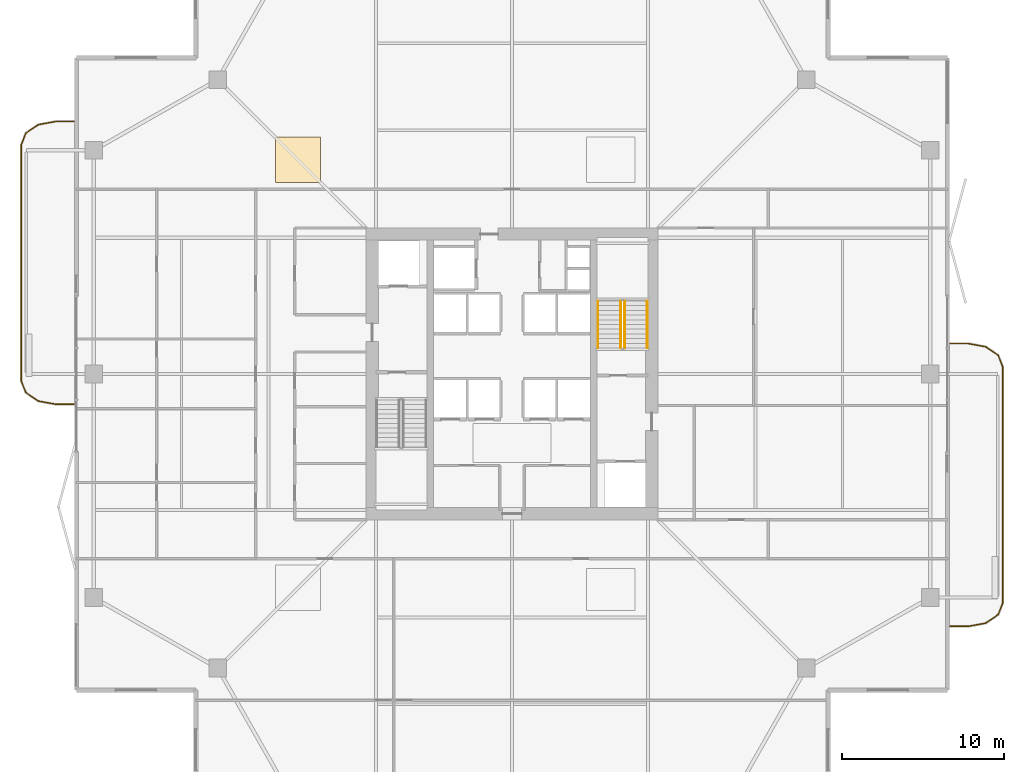
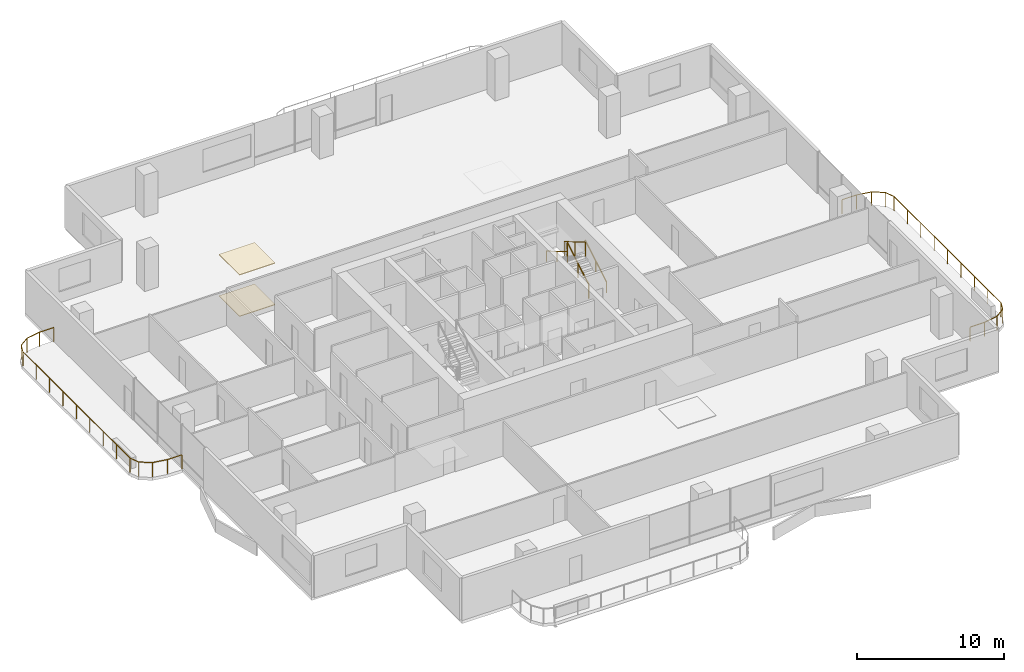
# One storey, part 22 of 23: 6 railings, 2 coverings.
"""IFC4 building model written with IfcOpenShell, lengths in metres."""

import ifcopenshell
import ifcopenshell.guid

model = None  # the IFC model being written
_history = None  # IfcOwnerHistory: only IFC2X3 demands one
_inside = {}  # id of a spatial element -> (the spatial element, [elements in it])
_under = {}  # id of a project, library or spatial element -> (it, [spatial elements below it])
_declared = {}  # id of a project -> (the project, [libraries it declares])
_typed = {}  # id of a type object -> (the type object, [elements of that type])
_made_of = {}  # id of a material, layer set ... -> (it, [elements and type objects made of it])


def new_model(schema):
    """Start an empty IFC model of exactly this schema.

    Asked for "IFC4X3", IfcOpenShell would pick the latest addendum, in which some entities
    have other attributes; the version numbers below select the first issue.
    IFC2X3 requires an IfcOwnerHistory on every rooted entity: one is made here for all.
    """
    global model, _history
    if schema == "IFC4X3":
        model = ifcopenshell.file(schema_version=(4, 3, 0, 0))
    else:
        model = ifcopenshell.file(schema=schema)
    _inside.clear()
    _under.clear()
    _declared.clear()
    _typed.clear()
    _made_of.clear()
    _history = None
    if model.schema == "IFC2X3":
        org = make("IfcOrganization", Name="unknown")
        user = make(
            "IfcPersonAndOrganization",
            ThePerson=make("IfcPerson", FamilyName="unknown"),
            TheOrganization=org,
        )
        app = make(
            "IfcApplication",
            ApplicationDeveloper=org,
            Version="unknown",
            ApplicationFullName="unknown",
            ApplicationIdentifier="unknown",
        )
        _history = make(
            "IfcOwnerHistory",
            OwningUser=user,
            OwningApplication=app,
            ChangeAction="ADDED",
            CreationDate=0,
        )
    return model


def make(cls, **values):
    """One entity of the class cls with the attributes given. An attribute that is None is left unset."""
    return model.create_entity(
        cls, **{name: value for name, value in values.items() if value is not None}
    )


def rooted(cls, **values):
    """An entity with a GlobalId (a new one), such as an element, a storey or a relation."""
    return make(cls, GlobalId=ifcopenshell.guid.new(), OwnerHistory=_history, **values)


def si_unit(unit_type, name, prefix=None):
    """IfcSIUnit, for example si_unit("LENGTHUNIT", "METRE", prefix="MILLI")."""
    return make("IfcSIUnit", UnitType=unit_type, Prefix=prefix, Name=name)


def assignment(units):
    """IfcUnitAssignment: the units of a project."""
    return None if units is None else make("IfcUnitAssignment", Units=units)


def point(xyz):
    """IfcCartesianPoint."""
    return None if xyz is None else make("IfcCartesianPoint", Coordinates=xyz)


def direction(xyz):
    """IfcDirection."""
    return None if xyz is None else make("IfcDirection", DirectionRatios=xyz)


def frame(location, z_axis=None, x_axis=None):
    """IfcAxis2Placement3D, a coordinate frame: its origin and axes. An axis left out is left unset."""
    return make(
        "IfcAxis2Placement3D",
        Location=point(location),
        Axis=direction(z_axis),
        RefDirection=direction(x_axis),
    )


def frame_2d(location, x_axis=None):
    """IfcAxis2Placement2D, a coordinate frame in the plane: its origin and x axis."""
    return make(
        "IfcAxis2Placement2D", Location=point(location), RefDirection=direction(x_axis)
    )


def origin():
    """The frame at (0, 0, 0) with its axes left unset."""
    return frame((0.0, 0.0, 0.0))


def origin_2d():
    """The frame at (0, 0) in the plane with its x axis left unset."""
    return frame_2d((0.0, 0.0))


def place(relative_to, where):
    """IfcLocalPlacement: puts the frame where relative to a parent placement (None: the world)."""
    return make(
        "IfcLocalPlacement", PlacementRelTo=relative_to, RelativePlacement=where
    )


def context(
    kind, dimensions, precision=None, world=None, true_north=None, identifier=None
):
    """IfcGeometricRepresentationContext, for example the 3D "Model" context."""
    return make(
        "IfcGeometricRepresentationContext",
        ContextIdentifier=identifier,
        ContextType=kind,
        CoordinateSpaceDimension=dimensions,
        Precision=precision,
        WorldCoordinateSystem=world,
        TrueNorth=true_north,
    )


def subcontext(parent, identifier, kind, view, scale=None):
    """IfcGeometricRepresentationSubContext, for example "Body" below "Model"."""
    return make(
        "IfcGeometricRepresentationSubContext",
        ContextIdentifier=identifier,
        ContextType=kind,
        ParentContext=parent,
        TargetScale=scale,
        TargetView=view,
    )


def project(units=None, contexts=None):
    """IfcProject with its units and contexts."""
    return rooted(
        "IfcProject",
        Name="project",
        RepresentationContexts=contexts,
        UnitsInContext=assignment(units),
    )


def spatial(cls, under=None, at=None, **own):
    """A site, building, storey or space (cls), placed at a placement, below another one or the project."""
    s = rooted(cls, ObjectPlacement=at, **own)
    if under is not None:
        _under.setdefault(under.id(), (under, []))[1].append(s)
    return s


def polyline(points):
    """IfcPolyline through the points."""
    return make("IfcPolyline", Points=[point(p) for p in points])


def profile(cls, at=None, kind="AREA", **sizes):
    """A parametric profile (cls). Its sizes go by their IFC names, for example OverallWidth=200.0."""
    return make(cls, ProfileType=kind, Position=at, **sizes)


def rectangle(**sizes):
    """IfcRectangleProfileDef."""
    return profile("IfcRectangleProfileDef", **sizes)


def outline(outer, holes=None, kind="AREA"):
    """IfcArbitraryClosedProfileDef: a profile drawn as a closed curve; with holes, ...WithVoids."""
    if holes is None:
        return make("IfcArbitraryClosedProfileDef", ProfileType=kind, OuterCurve=outer)
    return make(
        "IfcArbitraryProfileDefWithVoids",
        ProfileType=kind,
        OuterCurve=outer,
        InnerCurves=holes,
    )


def extrude(swept, where, along, depth):
    """IfcExtrudedAreaSolid: the profile swept, set in the frame where, extruded along a direction by depth."""
    return make(
        "IfcExtrudedAreaSolid",
        SweptArea=swept,
        Position=where,
        ExtrudedDirection=direction(along),
        Depth=depth,
    )


def shape(context_of_items, identifier, shape_type, items):
    """IfcShapeRepresentation: the items that make up one representation, for example the "Body"."""
    return make(
        "IfcShapeRepresentation",
        ContextOfItems=context_of_items,
        RepresentationIdentifier=identifier,
        RepresentationType=shape_type,
        Items=items,
    )


def material(Name=None, Category=None):
    """IfcMaterial."""
    return make("IfcMaterial", Name=Name, Category=Category)


def layer(
    of_material, thickness, ventilated=None, Name=None, Category=None, Priority=None
):
    """IfcMaterialLayer: one layer of a wall or slab, of a material (None: an air gap)."""
    return make(
        "IfcMaterialLayer",
        Material=of_material,
        LayerThickness=thickness,
        IsVentilated=ventilated,
        Name=Name,
        Category=Category,
        Priority=Priority,
    )


def layer_set(layers, Name=None):
    """IfcMaterialLayerSet."""
    return make("IfcMaterialLayerSet", MaterialLayers=layers, LayerSetName=Name)


def made_of(thing, what):
    """Note that an element or type object is made of a material, layer set ...; save() writes the relation."""
    if what is not None:
        _made_of.setdefault(what.id(), (what, []))[1].append(thing)
    return thing


def type_object(cls, material=None, **own):
    """A type object (cls), such as IfcWallType, which elements share."""
    return made_of(rooted(cls, **own), material)


def element(
    cls,
    number,
    at=None,
    inside=None,
    cuts=None,
    type_object=None,
    material=None,
    context=None,
    identifier="Body",
    shape_type=None,
    held_by="IfcProductDefinitionShape",
    body=None,
    shapes=None,
    **own,
):
    """One element of the class cls, such as IfcWall. Its Tag is "e" and its number.

    at: its placement. inside: the storey or other place that contains it. cuts: it is an
    opening in that element (IfcRelVoidsElement). A single representation is given by context,
    identifier, shape_type and body (its items); several are given by shapes. held_by: the class
    of the entity that holds the representations. save() writes the other relations.
    """
    e = rooted(cls, Tag="e%d" % number, ObjectPlacement=at, **own)
    if body is not None:
        shapes = [shape(context, identifier, shape_type, body)]
    if shapes is not None:
        e.Representation = make(held_by, Representations=shapes)
    if inside is not None:
        _inside.setdefault(inside.id(), (inside, []))[1].append(e)
    if cuts is not None:
        rooted(
            "IfcRelVoidsElement", RelatingBuildingElement=cuts, RelatedOpeningElement=e
        )
    if type_object is not None:
        _typed.setdefault(type_object.id(), (type_object, []))[1].append(e)
    return made_of(e, material)


def aggregate(whole, parts):
    """IfcRelAggregates: a whole, such as a stair, and the parts it consists of."""
    return rooted("IfcRelAggregates", RelatingObject=whole, RelatedObjects=parts)


def save(model, path):
    """Write the relations noted so far, then the file.

    IfcRelAggregates (storeys below a building ...), IfcRelContainedInSpatialStructure (elements
    in a storey), IfcRelDefinesByType, IfcRelAssociatesMaterial and IfcRelDeclares: one each for
    every whole, place, type object, material and project.
    """
    for whole, parts in _under.values():
        aggregate(whole, parts)
    for where, things in _inside.values():
        rooted(
            "IfcRelContainedInSpatialStructure",
            RelatedElements=things,
            RelatingStructure=where,
        )
    for kind, things in _typed.values():
        rooted("IfcRelDefinesByType", RelatedObjects=things, RelatingType=kind)
    for what, things in _made_of.values():
        rooted("IfcRelAssociatesMaterial", RelatedObjects=things, RelatingMaterial=what)
    for by, libraries in _declared.values():
        rooted("IfcRelDeclares", RelatingContext=by, RelatedDefinitions=libraries)
    model.write(path)


model = new_model("IFC4")

# Units and contexts
model_context = context("Model", 3, precision=1e-05, world=origin(), true_north=direction((0.0, 1.0)))
body_context = subcontext(model_context, "Body", "Model", "MODEL_VIEW")
ifc_project = project(units=[si_unit("LENGTHUNIT", "METRE"), si_unit("AREAUNIT", "SQUARE_METRE"), si_unit("VOLUMEUNIT", "CUBIC_METRE"), si_unit("PLANEANGLEUNIT", "RADIAN"), si_unit("MASSUNIT", "GRAM", prefix="KILO")], contexts=[model_context])

# Site, building, storey
site_placement = place(None, origin())
site = spatial("IfcSite", under=ifc_project, at=site_placement, CompositionType="ELEMENT")
building_placement = place(site_placement, origin())
building = spatial("IfcBuilding", under=site, at=building_placement, Name="Belovzor Exchange Tower", CompositionType="ELEMENT")
storey_placement = place(building_placement, frame((0.0, 0.0, 229.949951171875)))
storey = spatial("IfcBuildingStorey", under=building, at=storey_placement, Name="L57", CompositionType="ELEMENT", Elevation=229.949951171875)

# Railings
ifc_material_1 = material(Name="Stainless Steel Grade 304", Category="steel")
railing_type_1 = type_object("IfcRailingType", Name="Brushed Stainless Steel Stair Handrail 900", PredefinedType="HANDRAIL", material=ifc_material_1)
railing_1_placement = place(storey_placement, frame((37.14990234375, 30.39990234375, 0.17041015625)))
element("IfcRailing", 1, at=railing_1_placement, inside=storey, type_object=railing_type_1, Name="L57 ST-2 stair handrail 1", PredefinedType="HANDRAIL", context=body_context, shape_type="SweptSolid", body=[
    extrude(rectangle(XDim=0.048095703125, YDim=0.048095703125, at=origin_2d()), frame((0.0, 0.0, 0.8759765625), z_axis=(0.0, 0.862113265706, 0.506715617574), x_axis=(-1.0, 0.0, 0.0)), (0.0, 0.0, 1.0), 3.364013671875),
    extrude(rectangle(XDim=0.0419921875, YDim=0.0419921875, at=origin_2d()), origin(), (0.0, 0.0, 1.0), 0.851806640625),
    extrude(rectangle(XDim=0.0419921875, YDim=0.0419921875, at=origin_2d()), frame((0.0, 1.4501953125, 0.852294921875)), (0.0, 0.0, 1.0), 0.851806640625),
    extrude(rectangle(XDim=0.0419921875, YDim=0.0419921875, at=origin_2d()), frame((0.0, 2.900146484375, 1.70458984375)), (0.0, 0.0, 1.0), 0.851806640625),
])
railing_2_placement = place(storey_placement, frame((34.10009765625, 33.300048828125, 2.04541015625)))
element("IfcRailing", 2, at=railing_2_placement, inside=storey, type_object=railing_type_1, Name="L57 ST-2 stair handrail 2", PredefinedType="HANDRAIL", context=body_context, shape_type="SweptSolid", body=[
    extrude(rectangle(XDim=0.048095703125, YDim=0.048095703125, at=origin_2d()), frame((0.0, 0.0, 0.8759765625), z_axis=(0.0, -0.862113265706, 0.506715617574), x_axis=(1.0, 0.0, 0.0)), (0.0, 0.0, 1.0), 3.364013671875),
    extrude(rectangle(XDim=0.0419921875, YDim=0.0419921875, at=origin_2d()), origin(), (0.0, 0.0, 1.0), 0.851806640625),
    extrude(rectangle(XDim=0.0419921875, YDim=0.0419921875, at=origin_2d()), frame((0.0, -1.4501953125, 0.852294921875)), (0.0, 0.0, 1.0), 0.851806640625),
    extrude(rectangle(XDim=0.0419921875, YDim=0.0419921875, at=origin_2d()), frame((0.0, -2.900146484375, 1.70458984375)), (0.0, 0.0, 1.0), 0.851806640625),
])
ifc_material_2 = material(Name="Stainless Steel and Laminated Safety Glass", Category="steel")
railing_type_2 = type_object("IfcRailingType", Name="Laminated Glass & Stainless Steel Balcony Balustrade 1200", PredefinedType="BALUSTRADE", material=ifc_material_2)
railing_3_placement = place(storey_placement, frame((55.81005859375, 13.22998046875, 0.0)))
element("IfcRailing", 3, at=railing_3_placement, inside=storey, type_object=railing_type_2, Name="GR-1 Balcony Balustrade L57 East", PredefinedType="BALUSTRADE", context=body_context, shape_type="SweptSolid", body=[
    extrude(rectangle(XDim=0.048095703125, YDim=0.048095703125, at=origin_2d()), frame((0.0, 0.0, 1.17578125), z_axis=(1.0, 0.0, 0.0), x_axis=(0.0, 1.0, 0.0)), (0.0, 0.0, 1.0), 1.133056640625),
    extrude(rectangle(XDim=0.048095703125, YDim=0.048095703125, at=origin_2d()), frame((1.133056640625, 0.0, 1.17578125), z_axis=(0.983644145941, 0.180122719713, 0.0), x_axis=(-0.180122719713, 0.983644145941, 0.0)), (0.0, 0.0, 1.0), 1.09375),
    extrude(rectangle(XDim=0.048095703125, YDim=0.048095703125, at=origin_2d()), frame((2.208984375, 0.197021484375, 1.17578125), z_axis=(0.826614792125, 0.562768145367, 0.0), x_axis=(-0.562768145367, 0.826614792125, 0.0)), (0.0, 0.0, 1.0), 0.9326171875),
    extrude(rectangle(XDim=0.048095703125, YDim=0.048095703125, at=origin_2d()), frame((2.97998046875, 0.721923828125, 1.17578125), z_axis=(0.365504480807, 0.930809580156, 0.0), x_axis=(-0.930809580156, 0.365504480807, 0.0)), (0.0, 0.0, 1.0), 0.76611328125),
    extrude(rectangle(XDim=0.048095703125, YDim=0.048095703125, at=origin_2d()), frame((3.260009765625, 1.43505859375, 1.17578125), z_axis=(0.0, 1.0, 0.0), x_axis=(-1.0, 0.0, 0.0)), (0.0, 0.0, 1.0), 14.570068359375),
    extrude(rectangle(XDim=0.048095703125, YDim=0.048095703125, at=origin_2d()), frame((3.260009765625, 16.005126953125, 1.17578125), z_axis=(-0.365612923861, 0.930766990125, 0.0), x_axis=(-0.930766990125, -0.365612923861, 0.0)), (0.0, 0.0, 1.0), 0.765869140625),
    extrude(rectangle(XDim=0.048095703125, YDim=0.048095703125, at=origin_2d()), frame((2.97998046875, 16.718017578125, 1.17578125), z_axis=(-0.826614792125, 0.562768145367, 0.0), x_axis=(-0.562768145367, -0.826614792125, 0.0)), (0.0, 0.0, 1.0), 0.9326171875),
    extrude(rectangle(XDim=0.048095703125, YDim=0.048095703125, at=origin_2d()), frame((2.208984375, 17.242919921875, 1.17578125), z_axis=(-0.983644145941, 0.180122719713, 0.0), x_axis=(-0.180122719713, -0.983644145941, 0.0)), (0.0, 0.0, 1.0), 1.09375),
    extrude(rectangle(XDim=0.048095703125, YDim=0.048095703125, at=origin_2d()), frame((1.133056640625, 17.43994140625, 1.17578125), z_axis=(-1.0, 0.0, 0.0), x_axis=(0.0, -1.0, 0.0)), (0.0, 0.0, 1.0), 1.133056640625),
    extrude(rectangle(XDim=0.0419921875, YDim=0.0419921875, at=origin_2d()), origin(), (0.0, 0.0, 1.0), 1.15185546875),
    extrude(rectangle(XDim=0.0419921875, YDim=0.0419921875, at=origin_2d()), frame((1.133056640625, 0.0, 0.0)), (0.0, 0.0, 1.0), 1.15185546875),
    extrude(rectangle(XDim=0.0419921875, YDim=0.0419921875, at=origin_2d()), frame((2.208984375, 0.197021484375, 0.0)), (0.0, 0.0, 1.0), 1.15185546875),
    extrude(rectangle(XDim=0.0419921875, YDim=0.0419921875, at=origin_2d()), frame((2.97998046875, 0.721923828125, 0.0)), (0.0, 0.0, 1.0), 1.15185546875),
    extrude(rectangle(XDim=0.0419921875, YDim=0.0419921875, at=origin_2d()), frame((3.260009765625, 1.43505859375, 0.0)), (0.0, 0.0, 1.0), 1.15185546875),
    extrude(rectangle(XDim=0.0419921875, YDim=0.0419921875, at=origin_2d()), frame((3.260009765625, 3.25634765625, 0.0)), (0.0, 0.0, 1.0), 1.15185546875),
    extrude(rectangle(XDim=0.0419921875, YDim=0.0419921875, at=origin_2d()), frame((3.260009765625, 5.07763671875, 0.0)), (0.0, 0.0, 1.0), 1.15185546875),
    extrude(rectangle(XDim=0.0419921875, YDim=0.0419921875, at=origin_2d()), frame((3.260009765625, 6.89892578125, 0.0)), (0.0, 0.0, 1.0), 1.15185546875),
    extrude(rectangle(XDim=0.0419921875, YDim=0.0419921875, at=origin_2d()), frame((3.260009765625, 8.72021484375, 0.0)), (0.0, 0.0, 1.0), 1.15185546875),
    extrude(rectangle(XDim=0.0419921875, YDim=0.0419921875, at=origin_2d()), frame((3.260009765625, 10.541259765625, 0.0)), (0.0, 0.0, 1.0), 1.15185546875),
    extrude(rectangle(XDim=0.0419921875, YDim=0.0419921875, at=origin_2d()), frame((3.260009765625, 12.362548828125, 0.0)), (0.0, 0.0, 1.0), 1.15185546875),
    extrude(rectangle(XDim=0.0419921875, YDim=0.0419921875, at=origin_2d()), frame((3.260009765625, 14.183837890625, 0.0)), (0.0, 0.0, 1.0), 1.15185546875),
    extrude(rectangle(XDim=0.0419921875, YDim=0.0419921875, at=origin_2d()), frame((3.260009765625, 16.005126953125, 0.0)), (0.0, 0.0, 1.0), 1.15185546875),
    extrude(rectangle(XDim=0.0419921875, YDim=0.0419921875, at=origin_2d()), frame((2.97998046875, 16.718017578125, 0.0)), (0.0, 0.0, 1.0), 1.15185546875),
    extrude(rectangle(XDim=0.0419921875, YDim=0.0419921875, at=origin_2d()), frame((2.208984375, 17.242919921875, 0.0)), (0.0, 0.0, 1.0), 1.15185546875),
    extrude(rectangle(XDim=0.0419921875, YDim=0.0419921875, at=origin_2d()), frame((1.133056640625, 17.43994140625, 0.0)), (0.0, 0.0, 1.0), 1.15185546875),
    extrude(rectangle(XDim=0.0419921875, YDim=0.0419921875, at=origin_2d()), frame((0.0, 17.43994140625, 0.0)), (0.0, 0.0, 1.0), 1.15185546875),
])
railing_4_placement = place(storey_placement, frame((1.7900390625, 44.3701171875, 0.0)))
element("IfcRailing", 4, at=railing_4_placement, inside=storey, type_object=railing_type_2, Name="GR-1 Balcony Balustrade L57 West", PredefinedType="BALUSTRADE", context=body_context, shape_type="SweptSolid", body=[
    extrude(rectangle(XDim=0.048095703125, YDim=0.048095703125, at=origin_2d()), frame((0.0, 0.0, 1.17578125), z_axis=(-1.0, 0.0, 0.0), x_axis=(0.0, -1.0, 0.0)), (0.0, 0.0, 1.0), 1.133056640625),
    extrude(rectangle(XDim=0.048095703125, YDim=0.048095703125, at=origin_2d()), frame((-1.133056640625, 0.0, 1.17578125), z_axis=(-0.983644145941, -0.180122719713, 0.0), x_axis=(0.180122719713, -0.983644145941, 0.0)), (0.0, 0.0, 1.0), 1.09375),
    extrude(rectangle(XDim=0.048095703125, YDim=0.048095703125, at=origin_2d()), frame((-2.208984375, -0.197021484375, 1.17578125), z_axis=(-0.826493025367, -0.56294695933, 0.0), x_axis=(0.56294695933, -0.826493025367, 0.0)), (0.0, 0.0, 1.0), 0.932861328125),
    extrude(rectangle(XDim=0.048095703125, YDim=0.048095703125, at=origin_2d()), frame((-2.97998046875, -0.72216796875, 1.17578125), z_axis=(-0.365612923861, -0.930766990125, 0.0), x_axis=(0.930766990125, -0.365612923861, 0.0)), (0.0, 0.0, 1.0), 0.765869140625),
    extrude(rectangle(XDim=0.048095703125, YDim=0.048095703125, at=origin_2d()), frame((-3.260009765625, -1.43505859375, 1.17578125), z_axis=(0.0, -1.0, 0.0), x_axis=(1.0, 0.0, 0.0)), (0.0, 0.0, 1.0), 14.570068359375),
    extrude(rectangle(XDim=0.048095703125, YDim=0.048095703125, at=origin_2d()), frame((-3.260009765625, -16.005126953125, 1.17578125), z_axis=(0.365612923861, -0.930766990125, 0.0), x_axis=(0.930766990125, 0.365612923861, 0.0)), (0.0, 0.0, 1.0), 0.765869140625),
    extrude(rectangle(XDim=0.048095703125, YDim=0.048095703125, at=origin_2d()), frame((-2.97998046875, -16.718017578125, 1.17578125), z_axis=(0.826493025367, -0.56294695933, 0.0), x_axis=(0.56294695933, 0.826493025367, 0.0)), (0.0, 0.0, 1.0), 0.932861328125),
    extrude(rectangle(XDim=0.048095703125, YDim=0.048095703125, at=origin_2d()), frame((-2.208984375, -17.2431640625, 1.17578125), z_axis=(0.983644145941, -0.180122719713, 0.0), x_axis=(0.180122719713, 0.983644145941, 0.0)), (0.0, 0.0, 1.0), 1.09375),
    extrude(rectangle(XDim=0.048095703125, YDim=0.048095703125, at=origin_2d()), frame((-1.133056640625, -17.440185546875, 1.17578125), z_axis=(1.0, 0.0, 0.0), x_axis=(0.0, 1.0, 0.0)), (0.0, 0.0, 1.0), 1.133056640625),
    extrude(rectangle(XDim=0.0419921875, YDim=0.0419921875, at=origin_2d()), origin(), (0.0, 0.0, 1.0), 1.15185546875),
    extrude(rectangle(XDim=0.0419921875, YDim=0.0419921875, at=origin_2d()), frame((-1.133056640625, 0.0, 0.0)), (0.0, 0.0, 1.0), 1.15185546875),
    extrude(rectangle(XDim=0.0419921875, YDim=0.0419921875, at=origin_2d()), frame((-2.208984375, -0.197021484375, 0.0)), (0.0, 0.0, 1.0), 1.15185546875),
    extrude(rectangle(XDim=0.0419921875, YDim=0.0419921875, at=origin_2d()), frame((-2.97998046875, -0.72216796875, 0.0)), (0.0, 0.0, 1.0), 1.15185546875),
    extrude(rectangle(XDim=0.0419921875, YDim=0.0419921875, at=origin_2d()), frame((-3.260009765625, -1.43505859375, 0.0)), (0.0, 0.0, 1.0), 1.15185546875),
    extrude(rectangle(XDim=0.0419921875, YDim=0.0419921875, at=origin_2d()), frame((-3.260009765625, -3.25634765625, 0.0)), (0.0, 0.0, 1.0), 1.15185546875),
    extrude(rectangle(XDim=0.0419921875, YDim=0.0419921875, at=origin_2d()), frame((-3.260009765625, -5.07763671875, 0.0)), (0.0, 0.0, 1.0), 1.15185546875),
    extrude(rectangle(XDim=0.0419921875, YDim=0.0419921875, at=origin_2d()), frame((-3.260009765625, -6.89892578125, 0.0)), (0.0, 0.0, 1.0), 1.15185546875),
    extrude(rectangle(XDim=0.0419921875, YDim=0.0419921875, at=origin_2d()), frame((-3.260009765625, -8.72021484375, 0.0)), (0.0, 0.0, 1.0), 1.15185546875),
    extrude(rectangle(XDim=0.0419921875, YDim=0.0419921875, at=origin_2d()), frame((-3.260009765625, -10.541259765625, 0.0)), (0.0, 0.0, 1.0), 1.15185546875),
    extrude(rectangle(XDim=0.0419921875, YDim=0.0419921875, at=origin_2d()), frame((-3.260009765625, -12.362548828125, 0.0)), (0.0, 0.0, 1.0), 1.15185546875),
    extrude(rectangle(XDim=0.0419921875, YDim=0.0419921875, at=origin_2d()), frame((-3.260009765625, -14.183837890625, 0.0)), (0.0, 0.0, 1.0), 1.15185546875),
    extrude(rectangle(XDim=0.0419921875, YDim=0.0419921875, at=origin_2d()), frame((-3.260009765625, -16.005126953125, 0.0)), (0.0, 0.0, 1.0), 1.15185546875),
    extrude(rectangle(XDim=0.0419921875, YDim=0.0419921875, at=origin_2d()), frame((-2.97998046875, -16.718017578125, 0.0)), (0.0, 0.0, 1.0), 1.15185546875),
    extrude(rectangle(XDim=0.0419921875, YDim=0.0419921875, at=origin_2d()), frame((-2.208984375, -17.2431640625, 0.0)), (0.0, 0.0, 1.0), 1.15185546875),
    extrude(rectangle(XDim=0.0419921875, YDim=0.0419921875, at=origin_2d()), frame((-1.133056640625, -17.440185546875, 0.0)), (0.0, 0.0, 1.0), 1.15185546875),
    extrude(rectangle(XDim=0.0419921875, YDim=0.0419921875, at=origin_2d()), frame((0.0, -17.440185546875, 0.0)), (0.0, 0.0, 1.0), 1.15185546875),
])
ifc_material_3 = material(Name="Steel S355", Category="steel")
railing_type_3 = type_object("IfcRailingType", Name="Painted Steel Stairwell Guardrail 1200", PredefinedType="GUARDRAIL", material=ifc_material_3)
railing_5_placement = place(storey_placement, frame((35.75, 30.39990234375, 0.17041015625)))
element("IfcRailing", 5, at=railing_5_placement, inside=storey, type_object=railing_type_3, Name="L57 ST-2 stair guard 1", PredefinedType="GUARDRAIL", context=body_context, shape_type="SweptSolid", body=[
    extrude(rectangle(XDim=0.048095703125, YDim=0.048095703125, at=origin_2d()), frame((0.0, 0.0, 1.17578125), z_axis=(0.0, 0.862113265706, 0.506715617574), x_axis=(-1.0, 0.0, 0.0)), (0.0, 0.0, 1.0), 3.364013671875),
    extrude(rectangle(XDim=0.0419921875, YDim=0.0419921875, at=origin_2d()), origin(), (0.0, 0.0, 1.0), 1.15185546875),
    extrude(rectangle(XDim=0.0419921875, YDim=0.0419921875, at=origin_2d()), frame((0.0, 1.4501953125, 0.852294921875)), (0.0, 0.0, 1.0), 1.15185546875),
    extrude(rectangle(XDim=0.0419921875, YDim=0.0419921875, at=origin_2d()), frame((0.0, 2.900146484375, 1.70458984375)), (0.0, 0.0, 1.0), 1.15185546875),
])
railing_6_placement = place(storey_placement, frame((35.5, 33.300048828125, 2.04541015625)))
element("IfcRailing", 6, at=railing_6_placement, inside=storey, type_object=railing_type_3, Name="L57 ST-2 stair guard 3", PredefinedType="GUARDRAIL", context=body_context, shape_type="SweptSolid", body=[
    extrude(rectangle(XDim=0.048095703125, YDim=0.048095703125, at=origin_2d()), frame((0.0, 0.0, 1.17578125), z_axis=(0.0, -0.862113265706, 0.506715617574), x_axis=(1.0, 0.0, 0.0)), (0.0, 0.0, 1.0), 3.364013671875),
    extrude(rectangle(XDim=0.0419921875, YDim=0.0419921875, at=origin_2d()), origin(), (0.0, 0.0, 1.0), 1.15185546875),
    extrude(rectangle(XDim=0.0419921875, YDim=0.0419921875, at=origin_2d()), frame((0.0, -1.4501953125, 0.852294921875)), (0.0, 0.0, 1.0), 1.15185546875),
    extrude(rectangle(XDim=0.0419921875, YDim=0.0419921875, at=origin_2d()), frame((0.0, -2.900146484375, 1.70458984375)), (0.0, 0.0, 1.0), 1.15185546875),
])

# Coverings
ifc_material_4 = material(Name="Perforated Powder-Coated Aluminium", Category="aluminium")
ifc_layer_1 = layer(ifc_material_4, 0.06005859375)
ifc_layer_set_1 = layer_set([ifc_layer_1], Name="Perforated Powder-Coated Aluminium")
covering_type_1 = type_object("IfcCoveringType", Name="Perforated Acoustic Metal Tile Suspended Ceiling 60", PredefinedType="CEILING", material=ifc_layer_set_1)
covering_1_placement = place(storey_placement, frame((0.0, 0.0, 3.43994140625)))
element("IfcCovering", 7, at=covering_1_placement, inside=storey, type_object=covering_type_1, Name="CLG-AC60 Suspended Ceiling CLG-L57-Z3", PredefinedType="CEILING", context=body_context, shape_type="SweptSolid", body=[
    extrude(outline(polyline([(14.199951171875, 40.60009765625), (17.0, 40.60009765625), (17.0, 43.39990234375), (14.199951171875, 43.39990234375), (14.199951171875, 40.60009765625)])), origin(), (0.0, 0.0, 1.0), 0.06005859375),
])
ifc_material_5 = material(Name="Polished Natural Granite Tile", Category="masonry")
ifc_layer_2 = layer(ifc_material_5, 0.050048828125)
ifc_layer_set_2 = layer_set([ifc_layer_2], Name="Polished Natural Granite Tile")
covering_type_2 = type_object("IfcCoveringType", Name="Polished Karelian Granite & Raised Access Floor Finish 50", PredefinedType="FLOORING", material=ifc_layer_set_2)
covering_2_placement = place(storey_placement, origin())
element("IfcCovering", 8, at=covering_2_placement, inside=storey, type_object=covering_type_2, Name="FLR-GR50 Floor Finish FLR-L57-Z3", PredefinedType="FLOORING", context=body_context, shape_type="SweptSolid", body=[
    extrude(outline(polyline([(14.199951171875, 40.60009765625), (17.0, 40.60009765625), (17.0, 43.39990234375), (14.199951171875, 43.39990234375), (14.199951171875, 40.60009765625)])), origin(), (0.0, 0.0, 1.0), 0.050048828125),
])

save(model, "model.ifc")
